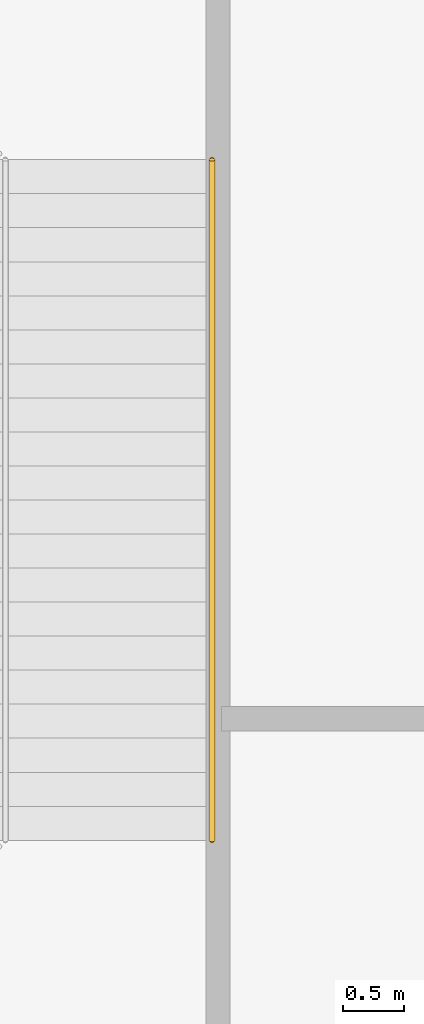
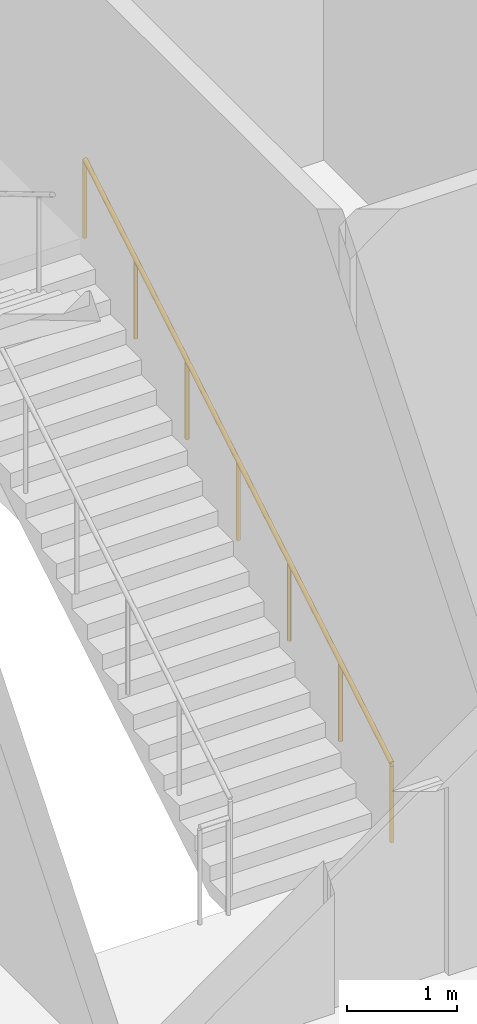
# One storey, part 36 of 37: 1 railing.
"""IFC4 building model written with IfcOpenShell, lengths in metres."""

import ifcopenshell
import ifcopenshell.guid

model = None  # the IFC model being written
_history = None  # IfcOwnerHistory: only IFC2X3 demands one
_inside = {}  # id of a spatial element -> (the spatial element, [elements in it])
_under = {}  # id of a project, library or spatial element -> (it, [spatial elements below it])
_declared = {}  # id of a project -> (the project, [libraries it declares])
_typed = {}  # id of a type object -> (the type object, [elements of that type])
_made_of = {}  # id of a material, layer set ... -> (it, [elements and type objects made of it])


def new_model(schema):
    """Start an empty IFC model of exactly this schema.

    Asked for "IFC4X3", IfcOpenShell would pick the latest addendum, in which some entities
    have other attributes; the version numbers below select the first issue.
    IFC2X3 requires an IfcOwnerHistory on every rooted entity: one is made here for all.
    """
    global model, _history
    if schema == "IFC4X3":
        model = ifcopenshell.file(schema_version=(4, 3, 0, 0))
    else:
        model = ifcopenshell.file(schema=schema)
    _inside.clear()
    _under.clear()
    _declared.clear()
    _typed.clear()
    _made_of.clear()
    _history = None
    if model.schema == "IFC2X3":
        org = make("IfcOrganization", Name="unknown")
        user = make(
            "IfcPersonAndOrganization",
            ThePerson=make("IfcPerson", FamilyName="unknown"),
            TheOrganization=org,
        )
        app = make(
            "IfcApplication",
            ApplicationDeveloper=org,
            Version="unknown",
            ApplicationFullName="unknown",
            ApplicationIdentifier="unknown",
        )
        _history = make(
            "IfcOwnerHistory",
            OwningUser=user,
            OwningApplication=app,
            ChangeAction="ADDED",
            CreationDate=0,
        )
    return model


def make(cls, **values):
    """One entity of the class cls with the attributes given. An attribute that is None is left unset."""
    return model.create_entity(
        cls, **{name: value for name, value in values.items() if value is not None}
    )


def rooted(cls, **values):
    """An entity with a GlobalId (a new one), such as an element, a storey or a relation."""
    return make(cls, GlobalId=ifcopenshell.guid.new(), OwnerHistory=_history, **values)


def si_unit(unit_type, name, prefix=None):
    """IfcSIUnit, for example si_unit("LENGTHUNIT", "METRE", prefix="MILLI")."""
    return make("IfcSIUnit", UnitType=unit_type, Prefix=prefix, Name=name)


def assignment(units):
    """IfcUnitAssignment: the units of a project."""
    return None if units is None else make("IfcUnitAssignment", Units=units)


def point(xyz):
    """IfcCartesianPoint."""
    return None if xyz is None else make("IfcCartesianPoint", Coordinates=xyz)


def direction(xyz):
    """IfcDirection."""
    return None if xyz is None else make("IfcDirection", DirectionRatios=xyz)


def frame(location, z_axis=None, x_axis=None):
    """IfcAxis2Placement3D, a coordinate frame: its origin and axes. An axis left out is left unset."""
    return make(
        "IfcAxis2Placement3D",
        Location=point(location),
        Axis=direction(z_axis),
        RefDirection=direction(x_axis),
    )


def frame_2d(location, x_axis=None):
    """IfcAxis2Placement2D, a coordinate frame in the plane: its origin and x axis."""
    return make(
        "IfcAxis2Placement2D", Location=point(location), RefDirection=direction(x_axis)
    )


def origin():
    """The frame at (0, 0, 0) with its axes left unset."""
    return frame((0.0, 0.0, 0.0))


def origin_2d():
    """The frame at (0, 0) in the plane with its x axis left unset."""
    return frame_2d((0.0, 0.0))


def place(relative_to, where):
    """IfcLocalPlacement: puts the frame where relative to a parent placement (None: the world)."""
    return make(
        "IfcLocalPlacement", PlacementRelTo=relative_to, RelativePlacement=where
    )


def context(
    kind, dimensions, precision=None, world=None, true_north=None, identifier=None
):
    """IfcGeometricRepresentationContext, for example the 3D "Model" context."""
    return make(
        "IfcGeometricRepresentationContext",
        ContextIdentifier=identifier,
        ContextType=kind,
        CoordinateSpaceDimension=dimensions,
        Precision=precision,
        WorldCoordinateSystem=world,
        TrueNorth=true_north,
    )


def subcontext(parent, identifier, kind, view, scale=None):
    """IfcGeometricRepresentationSubContext, for example "Body" below "Model"."""
    return make(
        "IfcGeometricRepresentationSubContext",
        ContextIdentifier=identifier,
        ContextType=kind,
        ParentContext=parent,
        TargetScale=scale,
        TargetView=view,
    )


def project(units=None, contexts=None):
    """IfcProject with its units and contexts."""
    return rooted(
        "IfcProject",
        Name="project",
        RepresentationContexts=contexts,
        UnitsInContext=assignment(units),
    )


def spatial(cls, under=None, at=None, **own):
    """A site, building, storey or space (cls), placed at a placement, below another one or the project."""
    s = rooted(cls, ObjectPlacement=at, **own)
    if under is not None:
        _under.setdefault(under.id(), (under, []))[1].append(s)
    return s


def profile(cls, at=None, kind="AREA", **sizes):
    """A parametric profile (cls). Its sizes go by their IFC names, for example OverallWidth=200.0."""
    return make(cls, ProfileType=kind, Position=at, **sizes)


def circle(**sizes):
    """IfcCircleProfileDef."""
    return profile("IfcCircleProfileDef", **sizes)


def extrude(swept, where, along, depth):
    """IfcExtrudedAreaSolid: the profile swept, set in the frame where, extruded along a direction by depth."""
    return make(
        "IfcExtrudedAreaSolid",
        SweptArea=swept,
        Position=where,
        ExtrudedDirection=direction(along),
        Depth=depth,
    )


def shape(context_of_items, identifier, shape_type, items):
    """IfcShapeRepresentation: the items that make up one representation, for example the "Body"."""
    return make(
        "IfcShapeRepresentation",
        ContextOfItems=context_of_items,
        RepresentationIdentifier=identifier,
        RepresentationType=shape_type,
        Items=items,
    )


def material(Name=None, Category=None):
    """IfcMaterial."""
    return make("IfcMaterial", Name=Name, Category=Category)


def made_of(thing, what):
    """Note that an element or type object is made of a material, layer set ...; save() writes the relation."""
    if what is not None:
        _made_of.setdefault(what.id(), (what, []))[1].append(thing)
    return thing


def type_object(cls, material=None, **own):
    """A type object (cls), such as IfcWallType, which elements share."""
    return made_of(rooted(cls, **own), material)


def element(
    cls,
    number,
    at=None,
    inside=None,
    cuts=None,
    type_object=None,
    material=None,
    context=None,
    identifier="Body",
    shape_type=None,
    held_by="IfcProductDefinitionShape",
    body=None,
    shapes=None,
    **own,
):
    """One element of the class cls, such as IfcWall. Its Tag is "e" and its number.

    at: its placement. inside: the storey or other place that contains it. cuts: it is an
    opening in that element (IfcRelVoidsElement). A single representation is given by context,
    identifier, shape_type and body (its items); several are given by shapes. held_by: the class
    of the entity that holds the representations. save() writes the other relations.
    """
    e = rooted(cls, Tag="e%d" % number, ObjectPlacement=at, **own)
    if body is not None:
        shapes = [shape(context, identifier, shape_type, body)]
    if shapes is not None:
        e.Representation = make(held_by, Representations=shapes)
    if inside is not None:
        _inside.setdefault(inside.id(), (inside, []))[1].append(e)
    if cuts is not None:
        rooted(
            "IfcRelVoidsElement", RelatingBuildingElement=cuts, RelatedOpeningElement=e
        )
    if type_object is not None:
        _typed.setdefault(type_object.id(), (type_object, []))[1].append(e)
    return made_of(e, material)


def aggregate(whole, parts):
    """IfcRelAggregates: a whole, such as a stair, and the parts it consists of."""
    return rooted("IfcRelAggregates", RelatingObject=whole, RelatedObjects=parts)


def save(model, path):
    """Write the relations noted so far, then the file.

    IfcRelAggregates (storeys below a building ...), IfcRelContainedInSpatialStructure (elements
    in a storey), IfcRelDefinesByType, IfcRelAssociatesMaterial and IfcRelDeclares: one each for
    every whole, place, type object, material and project.
    """
    for whole, parts in _under.values():
        aggregate(whole, parts)
    for where, things in _inside.values():
        rooted(
            "IfcRelContainedInSpatialStructure",
            RelatedElements=things,
            RelatingStructure=where,
        )
    for kind, things in _typed.values():
        rooted("IfcRelDefinesByType", RelatedObjects=things, RelatingType=kind)
    for what, things in _made_of.values():
        rooted("IfcRelAssociatesMaterial", RelatedObjects=things, RelatingMaterial=what)
    for by, libraries in _declared.values():
        rooted("IfcRelDeclares", RelatingContext=by, RelatedDefinitions=libraries)
    model.write(path)


model = new_model("IFC4")

# Units and contexts
model_context = context("Model", 3, precision=1e-05, world=origin(), true_north=direction((0.0, 1.0)))
body_context = subcontext(model_context, "Body", "Model", "MODEL_VIEW")
ifc_project = project(units=[si_unit("LENGTHUNIT", "METRE"), si_unit("AREAUNIT", "SQUARE_METRE"), si_unit("VOLUMEUNIT", "CUBIC_METRE"), si_unit("PLANEANGLEUNIT", "RADIAN"), si_unit("MASSUNIT", "GRAM", prefix="KILO")], contexts=[model_context])

# Site, building, storey
site_placement = place(None, origin())
site = spatial("IfcSite", under=ifc_project, at=site_placement, CompositionType="ELEMENT")
building_placement = place(site_placement, origin())
building = spatial("IfcBuilding", under=site, at=building_placement, Name="Tamarind Cross Interchange Tower", CompositionType="ELEMENT")
storey_placement = place(building_placement, frame((0.0, 0.0, -7.0)))
storey = spatial("IfcBuildingStorey", under=building, at=storey_placement, Name="B1", CompositionType="ELEMENT", Elevation=-7.0)

# Railing
ifc_material = material(Name="Public stair handrail")
railing_type = type_object("IfcRailingType", Name="Public stair handrail", PredefinedType="HANDRAIL", material=ifc_material)
railing_placement = place(storey_placement, frame((60.10009765625, -23.5, 0.166748046875)))
element("IfcRailing", 1, at=railing_placement, inside=storey, type_object=railing_type, Name="B1 XS-P11 stair handrail 1", PredefinedType="HANDRAIL", context=body_context, shape_type="SweptSolid", body=[
    extrude(circle(Radius=0.02392578125, at=origin_2d()), frame((0.0, 0.0, 0.8759765625), z_axis=(0.0, 0.859302292876, 0.511468053214), x_axis=(-1.0, 0.0, 0.0)), (0.0, 0.0, 1.0), 6.51708984375),
    extrude(circle(Radius=0.02099609375, at=origin_2d()), origin(), (0.0, 0.0, 1.0), 0.851806640625),
    extrude(circle(Radius=0.02099609375, at=origin_2d()), frame((0.0, 0.933349609375, 0.5556640625)), (0.0, 0.0, 1.0), 0.851806640625),
    extrude(circle(Radius=0.02099609375, at=origin_2d()), frame((0.0, 1.86669921875, 1.111083984375)), (0.0, 0.0, 1.0), 0.851806640625),
    extrude(circle(Radius=0.02099609375, at=origin_2d()), frame((0.0, 2.800048828125, 1.66650390625)), (0.0, 0.0, 1.0), 0.851806640625),
    extrude(circle(Radius=0.02099609375, at=origin_2d()), frame((0.0, 3.7333984375, 2.22216796875)), (0.0, 0.0, 1.0), 0.851806640625),
    extrude(circle(Radius=0.02099609375, at=origin_2d()), frame((0.0, 4.666748046875, 2.77783203125)), (0.0, 0.0, 1.0), 0.851806640625),
    extrude(circle(Radius=0.02099609375, at=origin_2d()), frame((0.0, 5.60009765625, 3.333251953125)), (0.0, 0.0, 1.0), 0.851806640625),
])

save(model, "model.ifc")
